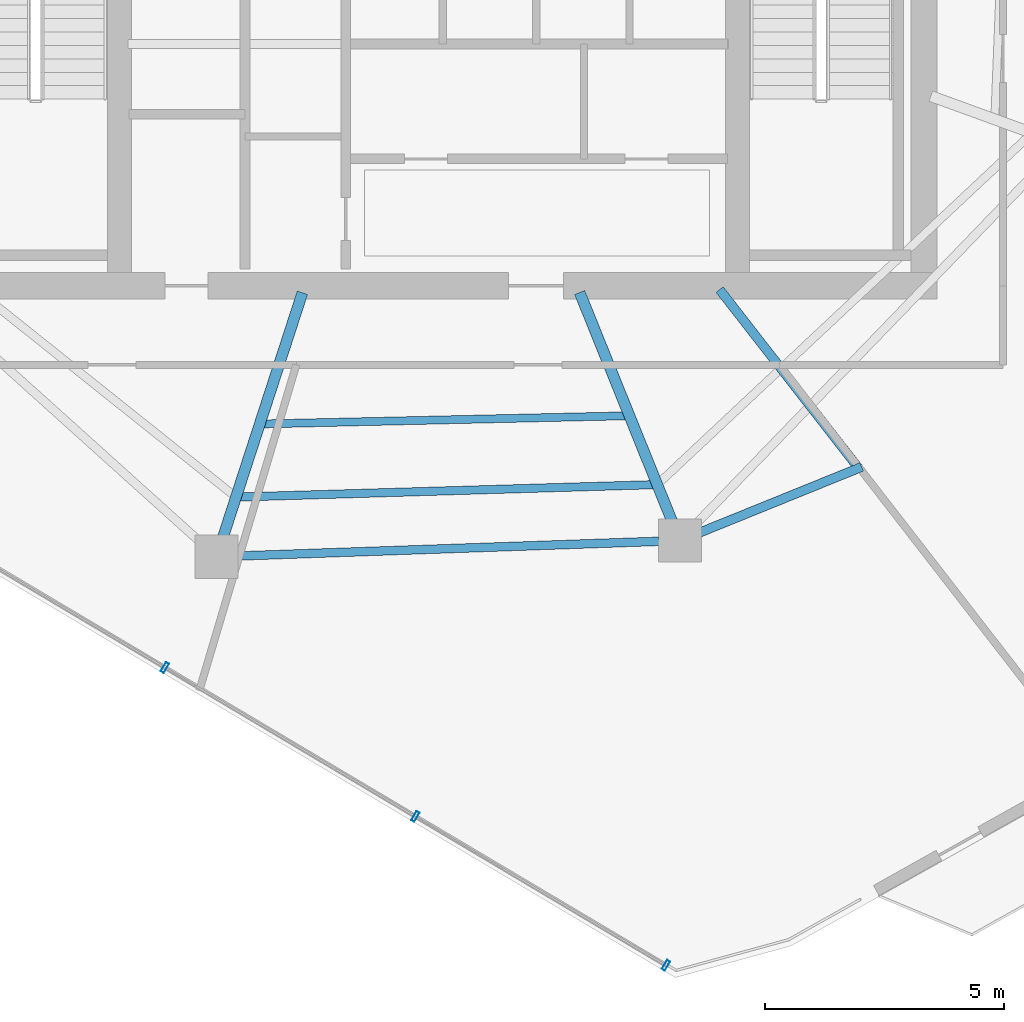
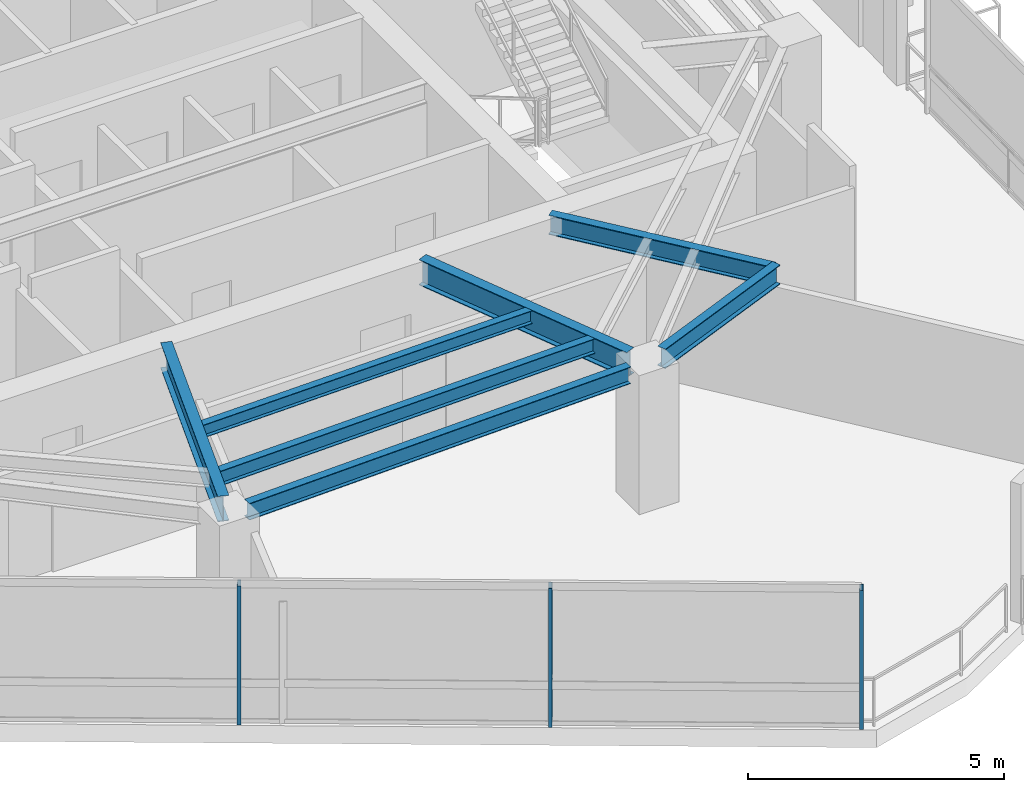
# One storey, part 3 of 18: 7 beams, 3 members, 1 element without a shape of its own.
"""IFC4 building model written with IfcOpenShell, lengths in metres."""

import ifcopenshell
import ifcopenshell.guid

model = None  # the IFC model being written
_history = None  # IfcOwnerHistory: only IFC2X3 demands one
_inside = {}  # id of a spatial element -> (the spatial element, [elements in it])
_under = {}  # id of a project, library or spatial element -> (it, [spatial elements below it])
_declared = {}  # id of a project -> (the project, [libraries it declares])
_typed = {}  # id of a type object -> (the type object, [elements of that type])
_made_of = {}  # id of a material, layer set ... -> (it, [elements and type objects made of it])


def new_model(schema):
    """Start an empty IFC model of exactly this schema.

    Asked for "IFC4X3", IfcOpenShell would pick the latest addendum, in which some entities
    have other attributes; the version numbers below select the first issue.
    IFC2X3 requires an IfcOwnerHistory on every rooted entity: one is made here for all.
    """
    global model, _history
    if schema == "IFC4X3":
        model = ifcopenshell.file(schema_version=(4, 3, 0, 0))
    else:
        model = ifcopenshell.file(schema=schema)
    _inside.clear()
    _under.clear()
    _declared.clear()
    _typed.clear()
    _made_of.clear()
    _history = None
    if model.schema == "IFC2X3":
        org = make("IfcOrganization", Name="unknown")
        user = make(
            "IfcPersonAndOrganization",
            ThePerson=make("IfcPerson", FamilyName="unknown"),
            TheOrganization=org,
        )
        app = make(
            "IfcApplication",
            ApplicationDeveloper=org,
            Version="unknown",
            ApplicationFullName="unknown",
            ApplicationIdentifier="unknown",
        )
        _history = make(
            "IfcOwnerHistory",
            OwningUser=user,
            OwningApplication=app,
            ChangeAction="ADDED",
            CreationDate=0,
        )
    return model


def make(cls, **values):
    """One entity of the class cls with the attributes given. An attribute that is None is left unset."""
    return model.create_entity(
        cls, **{name: value for name, value in values.items() if value is not None}
    )


def rooted(cls, **values):
    """An entity with a GlobalId (a new one), such as an element, a storey or a relation."""
    return make(cls, GlobalId=ifcopenshell.guid.new(), OwnerHistory=_history, **values)


def si_unit(unit_type, name, prefix=None):
    """IfcSIUnit, for example si_unit("LENGTHUNIT", "METRE", prefix="MILLI")."""
    return make("IfcSIUnit", UnitType=unit_type, Prefix=prefix, Name=name)


def assignment(units):
    """IfcUnitAssignment: the units of a project."""
    return None if units is None else make("IfcUnitAssignment", Units=units)


def point(xyz):
    """IfcCartesianPoint."""
    return None if xyz is None else make("IfcCartesianPoint", Coordinates=xyz)


def direction(xyz):
    """IfcDirection."""
    return None if xyz is None else make("IfcDirection", DirectionRatios=xyz)


def frame(location, z_axis=None, x_axis=None):
    """IfcAxis2Placement3D, a coordinate frame: its origin and axes. An axis left out is left unset."""
    return make(
        "IfcAxis2Placement3D",
        Location=point(location),
        Axis=direction(z_axis),
        RefDirection=direction(x_axis),
    )


def frame_2d(location, x_axis=None):
    """IfcAxis2Placement2D, a coordinate frame in the plane: its origin and x axis."""
    return make(
        "IfcAxis2Placement2D", Location=point(location), RefDirection=direction(x_axis)
    )


def origin():
    """The frame at (0, 0, 0) with its axes left unset."""
    return frame((0.0, 0.0, 0.0))


def origin_2d():
    """The frame at (0, 0) in the plane with its x axis left unset."""
    return frame_2d((0.0, 0.0))


def place(relative_to, where):
    """IfcLocalPlacement: puts the frame where relative to a parent placement (None: the world)."""
    return make(
        "IfcLocalPlacement", PlacementRelTo=relative_to, RelativePlacement=where
    )


def context(
    kind, dimensions, precision=None, world=None, true_north=None, identifier=None
):
    """IfcGeometricRepresentationContext, for example the 3D "Model" context."""
    return make(
        "IfcGeometricRepresentationContext",
        ContextIdentifier=identifier,
        ContextType=kind,
        CoordinateSpaceDimension=dimensions,
        Precision=precision,
        WorldCoordinateSystem=world,
        TrueNorth=true_north,
    )


def subcontext(parent, identifier, kind, view, scale=None):
    """IfcGeometricRepresentationSubContext, for example "Body" below "Model"."""
    return make(
        "IfcGeometricRepresentationSubContext",
        ContextIdentifier=identifier,
        ContextType=kind,
        ParentContext=parent,
        TargetScale=scale,
        TargetView=view,
    )


def project(units=None, contexts=None):
    """IfcProject with its units and contexts."""
    return rooted(
        "IfcProject",
        Name="project",
        RepresentationContexts=contexts,
        UnitsInContext=assignment(units),
    )


def spatial(cls, under=None, at=None, **own):
    """A site, building, storey or space (cls), placed at a placement, below another one or the project."""
    s = rooted(cls, ObjectPlacement=at, **own)
    if under is not None:
        _under.setdefault(under.id(), (under, []))[1].append(s)
    return s


def profile(cls, at=None, kind="AREA", **sizes):
    """A parametric profile (cls). Its sizes go by their IFC names, for example OverallWidth=200.0."""
    return make(cls, ProfileType=kind, Position=at, **sizes)


def hollow_rectangle(**sizes):
    """IfcRectangleHollowProfileDef."""
    return profile("IfcRectangleHollowProfileDef", **sizes)


def i_section(**sizes):
    """IfcIShapeProfileDef."""
    return profile("IfcIShapeProfileDef", **sizes)


def extrude(swept, where, along, depth):
    """IfcExtrudedAreaSolid: the profile swept, set in the frame where, extruded along a direction by depth."""
    return make(
        "IfcExtrudedAreaSolid",
        SweptArea=swept,
        Position=where,
        ExtrudedDirection=direction(along),
        Depth=depth,
    )


def shape(context_of_items, identifier, shape_type, items):
    """IfcShapeRepresentation: the items that make up one representation, for example the "Body"."""
    return make(
        "IfcShapeRepresentation",
        ContextOfItems=context_of_items,
        RepresentationIdentifier=identifier,
        RepresentationType=shape_type,
        Items=items,
    )


def material(Name=None, Category=None):
    """IfcMaterial."""
    return make("IfcMaterial", Name=Name, Category=Category)


def layer(
    of_material, thickness, ventilated=None, Name=None, Category=None, Priority=None
):
    """IfcMaterialLayer: one layer of a wall or slab, of a material (None: an air gap)."""
    return make(
        "IfcMaterialLayer",
        Material=of_material,
        LayerThickness=thickness,
        IsVentilated=ventilated,
        Name=Name,
        Category=Category,
        Priority=Priority,
    )


def layer_set(layers, Name=None):
    """IfcMaterialLayerSet."""
    return make("IfcMaterialLayerSet", MaterialLayers=layers, LayerSetName=Name)


def material_profile(
    of_material, cross_section, Name=None, Category=None, Priority=None
):
    """IfcMaterialProfile: a cross section and its material."""
    return make(
        "IfcMaterialProfile",
        Name=Name,
        Material=of_material,
        Profile=cross_section,
        Priority=Priority,
        Category=Category,
    )


def profile_set(profiles, Name=None, composite=None):
    """IfcMaterialProfileSet."""
    return make(
        "IfcMaterialProfileSet",
        Name=Name,
        MaterialProfiles=profiles,
        CompositeProfile=composite,
    )


def made_of(thing, what):
    """Note that an element or type object is made of a material, layer set ...; save() writes the relation."""
    if what is not None:
        _made_of.setdefault(what.id(), (what, []))[1].append(thing)
    return thing


def type_object(cls, material=None, **own):
    """A type object (cls), such as IfcWallType, which elements share."""
    return made_of(rooted(cls, **own), material)


def element(
    cls,
    number,
    at=None,
    inside=None,
    cuts=None,
    type_object=None,
    material=None,
    context=None,
    identifier="Body",
    shape_type=None,
    held_by="IfcProductDefinitionShape",
    body=None,
    shapes=None,
    **own,
):
    """One element of the class cls, such as IfcWall. Its Tag is "e" and its number.

    at: its placement. inside: the storey or other place that contains it. cuts: it is an
    opening in that element (IfcRelVoidsElement). A single representation is given by context,
    identifier, shape_type and body (its items); several are given by shapes. held_by: the class
    of the entity that holds the representations. save() writes the other relations.
    """
    e = rooted(cls, Tag="e%d" % number, ObjectPlacement=at, **own)
    if body is not None:
        shapes = [shape(context, identifier, shape_type, body)]
    if shapes is not None:
        e.Representation = make(held_by, Representations=shapes)
    if inside is not None:
        _inside.setdefault(inside.id(), (inside, []))[1].append(e)
    if cuts is not None:
        rooted(
            "IfcRelVoidsElement", RelatingBuildingElement=cuts, RelatedOpeningElement=e
        )
    if type_object is not None:
        _typed.setdefault(type_object.id(), (type_object, []))[1].append(e)
    return made_of(e, material)


def aggregate(whole, parts):
    """IfcRelAggregates: a whole, such as a stair, and the parts it consists of."""
    return rooted("IfcRelAggregates", RelatingObject=whole, RelatedObjects=parts)


def save(model, path):
    """Write the relations noted so far, then the file.

    IfcRelAggregates (storeys below a building ...), IfcRelContainedInSpatialStructure (elements
    in a storey), IfcRelDefinesByType, IfcRelAssociatesMaterial and IfcRelDeclares: one each for
    every whole, place, type object, material and project.
    """
    for whole, parts in _under.values():
        aggregate(whole, parts)
    for where, things in _inside.values():
        rooted(
            "IfcRelContainedInSpatialStructure",
            RelatedElements=things,
            RelatingStructure=where,
        )
    for kind, things in _typed.values():
        rooted("IfcRelDefinesByType", RelatedObjects=things, RelatingType=kind)
    for what, things in _made_of.values():
        rooted("IfcRelAssociatesMaterial", RelatedObjects=things, RelatingMaterial=what)
    for by, libraries in _declared.values():
        rooted("IfcRelDeclares", RelatingContext=by, RelatedDefinitions=libraries)
    model.write(path)


model = new_model("IFC4")

# Units and contexts
model_context = context("Model", 3, precision=1e-05, world=origin(), true_north=direction((0.0, 1.0)))
body_context = subcontext(model_context, "Body", "Model", "MODEL_VIEW")
ifc_project = project(units=[si_unit("LENGTHUNIT", "METRE"), si_unit("AREAUNIT", "SQUARE_METRE"), si_unit("VOLUMEUNIT", "CUBIC_METRE"), si_unit("PLANEANGLEUNIT", "RADIAN"), si_unit("MASSUNIT", "GRAM", prefix="KILO")], contexts=[model_context])

# Site, building, storey
site_placement = place(None, origin())
site = spatial("IfcSite", under=ifc_project, at=site_placement, CompositionType="ELEMENT")
building_placement = place(site_placement, origin())
building = spatial("IfcBuilding", under=site, at=building_placement, Name="Qarnah Convention Tower", CompositionType="ELEMENT")
storey_placement = place(building_placement, frame((0.0, 0.0, 177.0)))
storey = spatial("IfcBuildingStorey", under=building, at=storey_placement, Name="L47", CompositionType="ELEMENT", Elevation=177.0)

# Beams
ifc_material_1 = material(Name="Structural steel S355JR", Category="steel")
ifc_material_profile_1 = material_profile(ifc_material_1, i_section(OverallWidth=0.19189453125, OverallDepth=0.464111328125, WebThickness=0.010986328125, FlangeThickness=0.01806640625, at=origin_2d()), Name="W460X89")
ifc_profile_set_1 = profile_set([ifc_material_profile_1], Name="Structural steel S355JR")
beam_type_1 = type_object("IfcBeamType", Name="BM-CANT-W460A", PredefinedType="BEAM", material=ifc_profile_set_1)
beam_1_placement = place(storey_placement, frame((43.3310546875, 18.52099609375, 3.087890625), z_axis=(0.614241094698, -0.789118417973, 0.0), x_axis=(0.789118417973, 0.614241094698, 0.0)))
element("IfcBeam", 1, at=beam_1_placement, inside=storey, type_object=beam_type_1, Name="L47 beam BM-L47-CNT-03-1", PredefinedType="BEAM", context=body_context, shape_type="SweptSolid", body=[
    extrude(i_section(OverallWidth=0.19189453125, OverallDepth=0.464111328125, WebThickness=0.010986328125, FlangeThickness=0.01806640625, at=origin_2d()), origin(), (0.0, 0.0, 1.0), 4.724365234375),
])
beam_2_placement = place(storey_placement, frame((46.298095703125, 14.819091796875, 3.087890625), z_axis=(-0.926735498901, -0.375714406268, 0.0), x_axis=(0.375714406268, -0.926735498901, 0.0)))
element("IfcBeam", 2, at=beam_2_placement, inside=storey, type_object=beam_type_1, Name="L47 spandrel BM-L47-CTIE-03", PredefinedType="SPANDREL", context=body_context, shape_type="SweptSolid", body=[
    extrude(i_section(OverallWidth=0.19189453125, OverallDepth=0.464111328125, WebThickness=0.010986328125, FlangeThickness=0.01806640625, at=origin_2d()), origin(), (0.0, 0.0, 1.0), 3.656982421875),
])
ifc_material_profile_2 = material_profile(ifc_material_1, i_section(OverallWidth=0.166015625, OverallDepth=0.31201171875, WebThickness=0.007080078125, FlangeThickness=0.010986328125, at=origin_2d()), Name="W310X45")
ifc_profile_set_2 = profile_set([ifc_material_profile_2], Name="Structural steel S355JR")
beam_type_2 = type_object("IfcBeamType", Name="BM-JST-W310", PredefinedType="JOIST", material=ifc_profile_set_2)
beam_3_placement = place(storey_placement, frame((33.818115234375, 15.717041015625, 3.1640625), z_axis=(0.999751945962, 0.022272102413, 0.0), x_axis=(-0.022272102413, 0.999751945962, 0.0)))
element("IfcBeam", 3, at=beam_3_placement, inside=storey, type_object=beam_type_2, Name="L47 joist BM-L47-IJST-07", PredefinedType="JOIST", context=body_context, shape_type="SweptSolid", body=[
    extrude(i_section(OverallWidth=0.166015625, OverallDepth=0.31201171875, WebThickness=0.007080078125, FlangeThickness=0.010986328125, at=origin_2d()), origin(), (0.0, 0.0, 1.0), 7.541748046875),
])
ifc_material_profile_3 = material_profile(ifc_material_1, i_section(OverallWidth=0.172119140625, OverallDepth=0.35595703125, WebThickness=0.007080078125, FlangeThickness=0.011962890625, at=origin_2d()), Name="W360X51")
ifc_profile_set_3 = profile_set([ifc_material_profile_3], Name="Structural steel S355JR")
beam_type_3 = type_object("IfcBeamType", Name="BM-JST-W360", PredefinedType="JOIST", material=ifc_profile_set_3)
beam_4_placement = place(storey_placement, frame((33.321044921875, 14.19091796875, 3.14208984375), z_axis=(0.999558625738, 0.029707805593, 0.0), x_axis=(-0.029707805593, 0.999558625738, 0.0)))
element("IfcBeam", 4, at=beam_4_placement, inside=storey, type_object=beam_type_3, Name="L47 joist BM-L47-SJST-07", PredefinedType="JOIST", context=body_context, shape_type="SweptSolid", body=[
    extrude(i_section(OverallWidth=0.172119140625, OverallDepth=0.35595703125, WebThickness=0.007080078125, FlangeThickness=0.011962890625, at=origin_2d()), origin(), (0.0, 0.0, 1.0), 8.620849609375),
])
ifc_material_profile_4 = material_profile(ifc_material_1, i_section(OverallWidth=0.22802734375, OverallDepth=0.60791015625, WebThickness=0.010986328125, FlangeThickness=0.01708984375, at=origin_2d()), Name="W610X113")
ifc_profile_set_4 = profile_set([ifc_material_profile_4], Name="Structural steel S355JR")
beam_type_4 = type_object("IfcBeamType", Name="BM-RAD-W610B", PredefinedType="BEAM", material=ifc_profile_set_4)
beam_5_placement = place(storey_placement, frame((34.618896484375, 18.45703125, 3.01611328125), z_axis=(-0.309055218988, -0.951044095516, 0.0), x_axis=(0.951044095516, -0.309055218988, 0.0)))
element("IfcBeam", 5, at=beam_5_placement, inside=storey, type_object=beam_type_4, Name="L47 beam BM-L47-RAD-07", PredefinedType="BEAM", context=body_context, shape_type="SweptSolid", body=[
    extrude(i_section(OverallWidth=0.22802734375, OverallDepth=0.60791015625, WebThickness=0.010986328125, FlangeThickness=0.01708984375, at=origin_2d()), origin(), (0.0, 0.0, 1.0), 5.36767578125),
])
beam_6_placement = place(storey_placement, frame((40.407958984375, 18.4609375, 3.01611328125), z_axis=(0.374620360642, -0.927178292127, 0.0), x_axis=(0.927178292127, 0.374620360642, 0.0)))
element("IfcBeam", 6, at=beam_6_placement, inside=storey, type_object=beam_type_4, Name="L47 beam BM-L47-RAD-08", PredefinedType="BEAM", context=body_context, shape_type="SweptSolid", body=[
    extrude(i_section(OverallWidth=0.22802734375, OverallDepth=0.60791015625, WebThickness=0.010986328125, FlangeThickness=0.01708984375, at=origin_2d()), origin(), (0.0, 0.0, 1.0), 5.157470703125),
])
ifc_material_profile_5 = material_profile(ifc_material_1, i_section(OverallWidth=0.179931640625, OverallDepth=0.39990234375, WebThickness=0.009033203125, FlangeThickness=0.013916015625, at=origin_2d()), Name="IPE400")
ifc_profile_set_5 = profile_set([ifc_material_profile_5], Name="Structural steel S355JR")
beam_type_5 = type_object("IfcBeamType", Name="BM-SPN-IPE400", PredefinedType="SPANDREL", material=ifc_profile_set_5)
beam_7_placement = place(storey_placement, frame((33.26708984375, 12.9580078125, 3.1201171875), z_axis=(0.999391645542, 0.034876049374, 0.0), x_axis=(-0.034876049374, 0.999391645542, 0.0)))
element("IfcBeam", 7, at=beam_7_placement, inside=storey, type_object=beam_type_5, Name="L47 spandrel BM-L47-SPN-07", PredefinedType="SPANDREL", context=body_context, shape_type="SweptSolid", body=[
    extrude(i_section(OverallWidth=0.179931640625, OverallDepth=0.39990234375, WebThickness=0.009033203125, FlangeThickness=0.013916015625, at=origin_2d()), origin(), (0.0, 0.0, 1.0), 8.79931640625),
])

# Curtain wall, members
ifc_material_2 = material(Name="Tempered Low-E dark glass", Category="glass")
ifc_layer = layer(ifc_material_2, 0.174072265625)
ifc_layer_set = layer_set([ifc_layer], Name="Tempered Low-E dark glass")
curtain_wall_type = type_object("IfcCurtainWallType", Name="CWS-04", PredefinedType="NOTDEFINED", material=ifc_layer_set)
curtain_wall_placement = place(storey_placement, origin())
curtain_wall = element("IfcCurtainWall", 8, at=curtain_wall_placement, inside=storey, type_object=curtain_wall_type, Name="L47 unitised curtain wall CW-L47-F1", PredefinedType="NOTDEFINED")
ifc_material_3 = material(Name="Black anodised aluminium", Category="aluminium")
ifc_material_profile_6 = material_profile(ifc_material_3, hollow_rectangle(XDim=0.074951171875, YDim=0.219970703125, WallThickness=0.0048828125, at=origin_2d()), Name="MUL-75X220")
ifc_profile_set_6 = profile_set([ifc_material_profile_6], Name="Black anodised aluminium")
member_type = type_object("IfcMemberType", Name="MUL-T4", PredefinedType="MULLION", material=ifc_profile_set_6)
member_1_placement = place(storey_placement, frame((42.208984375, 4.408935546875, 0.0), z_axis=(0.0, 0.0, 1.0), x_axis=(-0.859654078443, 0.510876565734, 0.0)))
member_1 = element("IfcMember", 9, at=member_1_placement, type_object=member_type, Name="CW-L47-F1 mullion 1", PredefinedType="MULLION", context=body_context, shape_type="SweptSolid", body=[
    extrude(hollow_rectangle(XDim=0.074951171875, YDim=0.219970703125, WallThickness=0.0048828125, at=origin_2d()), origin(), (0.0, 0.0, 1.0), 3.320068359375),
])
member_2_placement = place(storey_placement, frame((36.976806640625, 7.518310546875, 0.0), z_axis=(0.0, 0.0, 1.0), x_axis=(-0.859654078443, 0.510876565734, 0.0)))
member_2 = element("IfcMember", 10, at=member_2_placement, type_object=member_type, Name="CW-L47-F1 mullion 2", PredefinedType="MULLION", context=body_context, shape_type="SweptSolid", body=[
    extrude(hollow_rectangle(XDim=0.074951171875, YDim=0.219970703125, WallThickness=0.0048828125, at=origin_2d()), origin(), (0.0, 0.0, 1.0), 3.320068359375),
])
member_3_placement = place(storey_placement, frame((31.74462890625, 10.627685546875, 0.0), z_axis=(0.0, 0.0, 1.0), x_axis=(-0.859654078443, 0.510876565734, 0.0)))
member_3 = element("IfcMember", 11, at=member_3_placement, type_object=member_type, Name="CW-L47-F1 mullion 3", PredefinedType="MULLION", context=body_context, shape_type="SweptSolid", body=[
    extrude(hollow_rectangle(XDim=0.074951171875, YDim=0.219970703125, WallThickness=0.0048828125, at=origin_2d()), origin(), (0.0, 0.0, 1.0), 3.320068359375),
])
aggregate(curtain_wall, [member_1, member_2, member_3])

save(model, "model.ifc")
